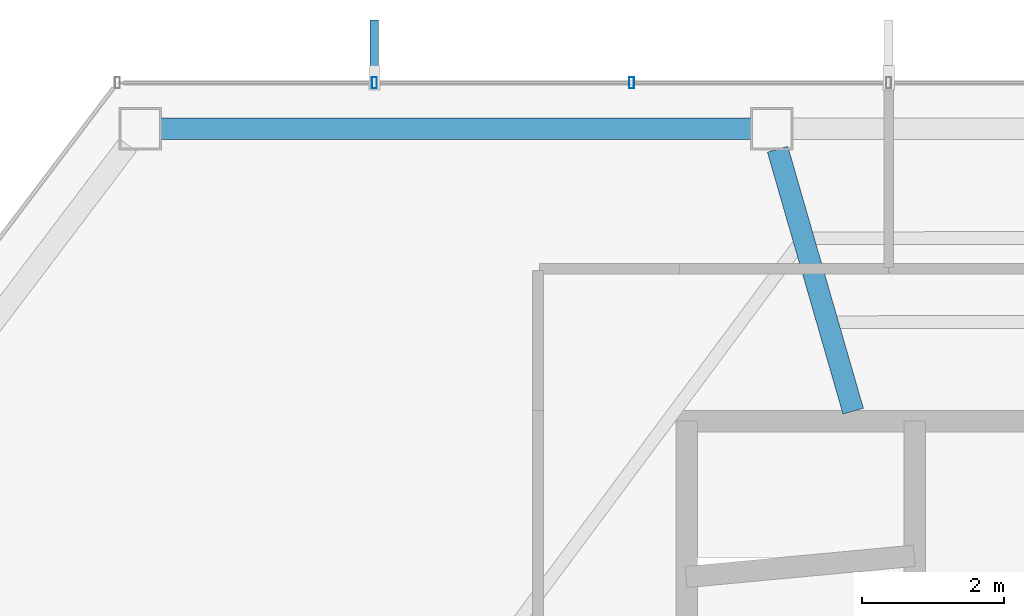
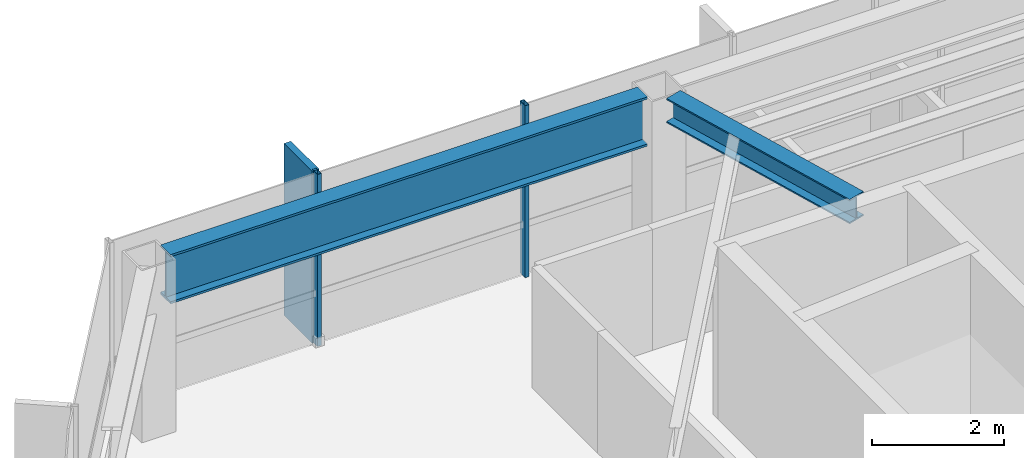
# One storey, part 13 of 27: 3 members, 2 beams, 1 element without a shape of its own.
"""IFC4 building model written with IfcOpenShell, lengths in metres."""

import ifcopenshell
import ifcopenshell.guid

model = None  # the IFC model being written
_history = None  # IfcOwnerHistory: only IFC2X3 demands one
_inside = {}  # id of a spatial element -> (the spatial element, [elements in it])
_under = {}  # id of a project, library or spatial element -> (it, [spatial elements below it])
_declared = {}  # id of a project -> (the project, [libraries it declares])
_typed = {}  # id of a type object -> (the type object, [elements of that type])
_made_of = {}  # id of a material, layer set ... -> (it, [elements and type objects made of it])


def new_model(schema):
    """Start an empty IFC model of exactly this schema.

    Asked for "IFC4X3", IfcOpenShell would pick the latest addendum, in which some entities
    have other attributes; the version numbers below select the first issue.
    IFC2X3 requires an IfcOwnerHistory on every rooted entity: one is made here for all.
    """
    global model, _history
    if schema == "IFC4X3":
        model = ifcopenshell.file(schema_version=(4, 3, 0, 0))
    else:
        model = ifcopenshell.file(schema=schema)
    _inside.clear()
    _under.clear()
    _declared.clear()
    _typed.clear()
    _made_of.clear()
    _history = None
    if model.schema == "IFC2X3":
        org = make("IfcOrganization", Name="unknown")
        user = make(
            "IfcPersonAndOrganization",
            ThePerson=make("IfcPerson", FamilyName="unknown"),
            TheOrganization=org,
        )
        app = make(
            "IfcApplication",
            ApplicationDeveloper=org,
            Version="unknown",
            ApplicationFullName="unknown",
            ApplicationIdentifier="unknown",
        )
        _history = make(
            "IfcOwnerHistory",
            OwningUser=user,
            OwningApplication=app,
            ChangeAction="ADDED",
            CreationDate=0,
        )
    return model


def make(cls, **values):
    """One entity of the class cls with the attributes given. An attribute that is None is left unset."""
    return model.create_entity(
        cls, **{name: value for name, value in values.items() if value is not None}
    )


def rooted(cls, **values):
    """An entity with a GlobalId (a new one), such as an element, a storey or a relation."""
    return make(cls, GlobalId=ifcopenshell.guid.new(), OwnerHistory=_history, **values)


def si_unit(unit_type, name, prefix=None):
    """IfcSIUnit, for example si_unit("LENGTHUNIT", "METRE", prefix="MILLI")."""
    return make("IfcSIUnit", UnitType=unit_type, Prefix=prefix, Name=name)


def assignment(units):
    """IfcUnitAssignment: the units of a project."""
    return None if units is None else make("IfcUnitAssignment", Units=units)


def point(xyz):
    """IfcCartesianPoint."""
    return None if xyz is None else make("IfcCartesianPoint", Coordinates=xyz)


def direction(xyz):
    """IfcDirection."""
    return None if xyz is None else make("IfcDirection", DirectionRatios=xyz)


def frame(location, z_axis=None, x_axis=None):
    """IfcAxis2Placement3D, a coordinate frame: its origin and axes. An axis left out is left unset."""
    return make(
        "IfcAxis2Placement3D",
        Location=point(location),
        Axis=direction(z_axis),
        RefDirection=direction(x_axis),
    )


def frame_2d(location, x_axis=None):
    """IfcAxis2Placement2D, a coordinate frame in the plane: its origin and x axis."""
    return make(
        "IfcAxis2Placement2D", Location=point(location), RefDirection=direction(x_axis)
    )


def origin():
    """The frame at (0, 0, 0) with its axes left unset."""
    return frame((0.0, 0.0, 0.0))


def origin_2d():
    """The frame at (0, 0) in the plane with its x axis left unset."""
    return frame_2d((0.0, 0.0))


def place(relative_to, where):
    """IfcLocalPlacement: puts the frame where relative to a parent placement (None: the world)."""
    return make(
        "IfcLocalPlacement", PlacementRelTo=relative_to, RelativePlacement=where
    )


def context(
    kind, dimensions, precision=None, world=None, true_north=None, identifier=None
):
    """IfcGeometricRepresentationContext, for example the 3D "Model" context."""
    return make(
        "IfcGeometricRepresentationContext",
        ContextIdentifier=identifier,
        ContextType=kind,
        CoordinateSpaceDimension=dimensions,
        Precision=precision,
        WorldCoordinateSystem=world,
        TrueNorth=true_north,
    )


def subcontext(parent, identifier, kind, view, scale=None):
    """IfcGeometricRepresentationSubContext, for example "Body" below "Model"."""
    return make(
        "IfcGeometricRepresentationSubContext",
        ContextIdentifier=identifier,
        ContextType=kind,
        ParentContext=parent,
        TargetScale=scale,
        TargetView=view,
    )


def project(units=None, contexts=None):
    """IfcProject with its units and contexts."""
    return rooted(
        "IfcProject",
        Name="project",
        RepresentationContexts=contexts,
        UnitsInContext=assignment(units),
    )


def spatial(cls, under=None, at=None, **own):
    """A site, building, storey or space (cls), placed at a placement, below another one or the project."""
    s = rooted(cls, ObjectPlacement=at, **own)
    if under is not None:
        _under.setdefault(under.id(), (under, []))[1].append(s)
    return s


def profile(cls, at=None, kind="AREA", **sizes):
    """A parametric profile (cls). Its sizes go by their IFC names, for example OverallWidth=200.0."""
    return make(cls, ProfileType=kind, Position=at, **sizes)


def rectangle(**sizes):
    """IfcRectangleProfileDef."""
    return profile("IfcRectangleProfileDef", **sizes)


def hollow_rectangle(**sizes):
    """IfcRectangleHollowProfileDef."""
    return profile("IfcRectangleHollowProfileDef", **sizes)


def i_section(**sizes):
    """IfcIShapeProfileDef."""
    return profile("IfcIShapeProfileDef", **sizes)


def extrude(swept, where, along, depth):
    """IfcExtrudedAreaSolid: the profile swept, set in the frame where, extruded along a direction by depth."""
    return make(
        "IfcExtrudedAreaSolid",
        SweptArea=swept,
        Position=where,
        ExtrudedDirection=direction(along),
        Depth=depth,
    )


def shape(context_of_items, identifier, shape_type, items):
    """IfcShapeRepresentation: the items that make up one representation, for example the "Body"."""
    return make(
        "IfcShapeRepresentation",
        ContextOfItems=context_of_items,
        RepresentationIdentifier=identifier,
        RepresentationType=shape_type,
        Items=items,
    )


def material(Name=None, Category=None):
    """IfcMaterial."""
    return make("IfcMaterial", Name=Name, Category=Category)


def layer(
    of_material, thickness, ventilated=None, Name=None, Category=None, Priority=None
):
    """IfcMaterialLayer: one layer of a wall or slab, of a material (None: an air gap)."""
    return make(
        "IfcMaterialLayer",
        Material=of_material,
        LayerThickness=thickness,
        IsVentilated=ventilated,
        Name=Name,
        Category=Category,
        Priority=Priority,
    )


def layer_set(layers, Name=None):
    """IfcMaterialLayerSet."""
    return make("IfcMaterialLayerSet", MaterialLayers=layers, LayerSetName=Name)


def material_profile(
    of_material, cross_section, Name=None, Category=None, Priority=None
):
    """IfcMaterialProfile: a cross section and its material."""
    return make(
        "IfcMaterialProfile",
        Name=Name,
        Material=of_material,
        Profile=cross_section,
        Priority=Priority,
        Category=Category,
    )


def profile_set(profiles, Name=None, composite=None):
    """IfcMaterialProfileSet."""
    return make(
        "IfcMaterialProfileSet",
        Name=Name,
        MaterialProfiles=profiles,
        CompositeProfile=composite,
    )


def made_of(thing, what):
    """Note that an element or type object is made of a material, layer set ...; save() writes the relation."""
    if what is not None:
        _made_of.setdefault(what.id(), (what, []))[1].append(thing)
    return thing


def type_object(cls, material=None, **own):
    """A type object (cls), such as IfcWallType, which elements share."""
    return made_of(rooted(cls, **own), material)


def element(
    cls,
    number,
    at=None,
    inside=None,
    cuts=None,
    type_object=None,
    material=None,
    context=None,
    identifier="Body",
    shape_type=None,
    held_by="IfcProductDefinitionShape",
    body=None,
    shapes=None,
    **own,
):
    """One element of the class cls, such as IfcWall. Its Tag is "e" and its number.

    at: its placement. inside: the storey or other place that contains it. cuts: it is an
    opening in that element (IfcRelVoidsElement). A single representation is given by context,
    identifier, shape_type and body (its items); several are given by shapes. held_by: the class
    of the entity that holds the representations. save() writes the other relations.
    """
    e = rooted(cls, Tag="e%d" % number, ObjectPlacement=at, **own)
    if body is not None:
        shapes = [shape(context, identifier, shape_type, body)]
    if shapes is not None:
        e.Representation = make(held_by, Representations=shapes)
    if inside is not None:
        _inside.setdefault(inside.id(), (inside, []))[1].append(e)
    if cuts is not None:
        rooted(
            "IfcRelVoidsElement", RelatingBuildingElement=cuts, RelatedOpeningElement=e
        )
    if type_object is not None:
        _typed.setdefault(type_object.id(), (type_object, []))[1].append(e)
    return made_of(e, material)


def aggregate(whole, parts):
    """IfcRelAggregates: a whole, such as a stair, and the parts it consists of."""
    return rooted("IfcRelAggregates", RelatingObject=whole, RelatedObjects=parts)


def save(model, path):
    """Write the relations noted so far, then the file.

    IfcRelAggregates (storeys below a building ...), IfcRelContainedInSpatialStructure (elements
    in a storey), IfcRelDefinesByType, IfcRelAssociatesMaterial and IfcRelDeclares: one each for
    every whole, place, type object, material and project.
    """
    for whole, parts in _under.values():
        aggregate(whole, parts)
    for where, things in _inside.values():
        rooted(
            "IfcRelContainedInSpatialStructure",
            RelatedElements=things,
            RelatingStructure=where,
        )
    for kind, things in _typed.values():
        rooted("IfcRelDefinesByType", RelatedObjects=things, RelatingType=kind)
    for what, things in _made_of.values():
        rooted("IfcRelAssociatesMaterial", RelatedObjects=things, RelatingMaterial=what)
    for by, libraries in _declared.values():
        rooted("IfcRelDeclares", RelatingContext=by, RelatedDefinitions=libraries)
    model.write(path)


model = new_model("IFC4")

# Units and contexts
model_context = context("Model", 3, precision=1e-05, world=origin(), true_north=direction((0.0, 1.0)))
body_context = subcontext(model_context, "Body", "Model", "MODEL_VIEW")
ifc_project = project(units=[si_unit("LENGTHUNIT", "METRE"), si_unit("AREAUNIT", "SQUARE_METRE"), si_unit("VOLUMEUNIT", "CUBIC_METRE"), si_unit("PLANEANGLEUNIT", "RADIAN"), si_unit("MASSUNIT", "GRAM", prefix="KILO")], contexts=[model_context])

# Site, building, storey
site_placement = place(None, origin())
site = spatial("IfcSite", under=ifc_project, at=site_placement, CompositionType="ELEMENT")
building_placement = place(site_placement, origin())
building = spatial("IfcBuilding", under=site, at=building_placement, Name="Zarrinselat Tower", CompositionType="ELEMENT")
storey_placement = place(building_placement, frame((0.0, 0.0, 229.159912109375)))
storey = spatial("IfcBuildingStorey", under=building, at=storey_placement, Name="L57", CompositionType="ELEMENT", Elevation=229.159912109375)

# Beams
ifc_material_1 = material(Name="Steel S355J2", Category="steel")
ifc_material_profile_1 = material_profile(ifc_material_1, i_section(OverallWidth=0.300048828125, OverallDepth=0.449951171875, WebThickness=0.013916015625, FlangeThickness=0.02587890625, at=origin_2d()), Name="HEB 450")
ifc_profile_set_1 = profile_set([ifc_material_profile_1], Name="Steel S355J2")
beam_type_1 = type_object("IfcBeamType", Name="BM-HEB450", PredefinedType="BEAM", material=ifc_profile_set_1)
beam_1_placement = place(storey_placement, frame((29.9326171875, 47.237548828125, 2.955078125), z_axis=(0.277350981554, -0.960768667803, 0.0), x_axis=(0.960768667803, 0.277350981554, 0.0)))
element("IfcBeam", 1, at=beam_1_placement, inside=storey, type_object=beam_type_1, Name="L57 Radial Primary Girder RG04", PredefinedType="BEAM", context=body_context, shape_type="SweptSolid", body=[
    extrude(i_section(OverallWidth=0.300048828125, OverallDepth=0.449951171875, WebThickness=0.013916015625, FlangeThickness=0.02587890625, at=origin_2d()), origin(), (0.0, 0.0, 1.0), 3.848388671875),
])
ifc_material_2 = material(Name="Steel S460M", Category="steel")
ifc_material_profile_2 = material_profile(ifc_material_2, i_section(OverallWidth=0.302001953125, OverallDepth=0.909912109375, WebThickness=0.02099609375, FlangeThickness=0.0400390625, at=origin_2d()), Name="HEM 900")
ifc_profile_set_2 = profile_set([ifc_material_profile_2], Name="Steel S460M")
beam_type_2 = type_object("IfcBeamType", Name="BM-HEM900", PredefinedType="BEAM", material=ifc_profile_set_2)
beam_2_placement = place(storey_placement, frame((21.222412109375, 47.52783203125, 2.72509765625), z_axis=(1.0, 0.0, 0.0), x_axis=(0.0, 1.0, 0.0)))
element("IfcBeam", 2, at=beam_2_placement, inside=storey, type_object=beam_type_2, Name="L57 Perimeter Spandrel Girder SP04", PredefinedType="BEAM", context=body_context, shape_type="SweptSolid", body=[
    extrude(i_section(OverallWidth=0.302001953125, OverallDepth=0.909912109375, WebThickness=0.02099609375, FlangeThickness=0.0400390625, at=origin_2d()), origin(), (0.0, 0.0, 1.0), 8.33837890625),
])

# Curtain wall, members
ifc_material_3 = material(Name="Extruded Aluminium Alloy EN AW-6063 T6", Category="aluminium")
ifc_layer = layer(ifc_material_3, 0.169921875)
ifc_layer_set = layer_set([ifc_layer], Name="Extruded Aluminium Alloy EN AW-6063 T6")
curtain_wall_type = type_object("IfcCurtainWallType", Name="CWS-RES", PredefinedType="NOTDEFINED", material=ifc_layer_set)
curtain_wall_placement = place(storey_placement, origin())
curtain_wall = element("IfcCurtainWall", 3, at=curtain_wall_placement, inside=storey, type_object=curtain_wall_type, Name="L57 Unitised Curtain Wall CW-L57-E01", PredefinedType="NOTDEFINED")
ifc_material_4 = material(Name="Extruded Aluminium Alloy EN AW-6063 T6", Category="aluminium")
ifc_material_profile_3 = material_profile(ifc_material_4, hollow_rectangle(XDim=0.070068359375, YDim=0.159912109375, WallThickness=0.00390625, at=origin_2d()), Name="RHS 160x70x4")
ifc_profile_set_3 = profile_set([ifc_material_profile_3], Name="Extruded Aluminium Alloy EN AW-6063 T6")
member_type_1 = type_object("IfcMemberType", Name="MEM-CW-MUL2", PredefinedType="MULLION", material=ifc_profile_set_3)
member_1_placement = place(storey_placement, frame((27.872314453125, 48.177734375, 0.0), z_axis=(0.0, 0.0, 1.0), x_axis=(-1.0, 0.0, 0.0)))
member_1 = element("IfcMember", 4, at=member_1_placement, type_object=member_type_1, Name="CW-L57-E01 Mullion 10", PredefinedType="MULLION", context=body_context, shape_type="SweptSolid", body=[
    extrude(hollow_rectangle(XDim=0.070068359375, YDim=0.159912109375, WallThickness=0.00390625, at=origin_2d()), origin(), (0.0, 0.0, 1.0), 3.18017578125),
])
member_2_placement = place(storey_placement, frame((24.241943359375, 48.177734375, 0.0), z_axis=(0.0, 0.0, 1.0), x_axis=(-1.0, 0.0, 0.0)))
member_2 = element("IfcMember", 5, at=member_2_placement, type_object=member_type_1, Name="CW-L57-E01 Mullion 11", PredefinedType="MULLION", context=body_context, shape_type="SweptSolid", body=[
    extrude(hollow_rectangle(XDim=0.070068359375, YDim=0.159912109375, WallThickness=0.00390625, at=origin_2d()), origin(), (0.0, 0.0, 1.0), 3.18017578125),
])
ifc_material_5 = material(Name="Honed Cream Travertine Stone", Category="masonry")
ifc_material_profile_4 = material_profile(ifc_material_5, rectangle(XDim=0.1201171875, YDim=0.85009765625, at=origin_2d()), Name="FIN 850x120")
ifc_profile_set_4 = profile_set([ifc_material_profile_4], Name="Honed Cream Travertine Stone")
member_type_2 = type_object("IfcMemberType", Name="MEM-STONE-FIN", PredefinedType="USERDEFINED", material=ifc_profile_set_4)
member_3_placement = place(storey_placement, frame((24.241943359375, 48.6376953125, 0.0), z_axis=(0.0, 0.0, 1.0), x_axis=(1.0, 0.0, 0.0)))
member_3 = element("IfcMember", 6, at=member_3_placement, type_object=member_type_2, Name="L57 Stone Shading Fin CW-L57-E01-11", ObjectType="FIN", PredefinedType="USERDEFINED", context=body_context, shape_type="SweptSolid", body=[
    extrude(rectangle(XDim=0.1201171875, YDim=0.85009765625, at=origin_2d()), origin(), (0.0, 0.0, 1.0), 3.18017578125),
])
aggregate(curtain_wall, [member_1, member_2, member_3])

save(model, "model.ifc")
